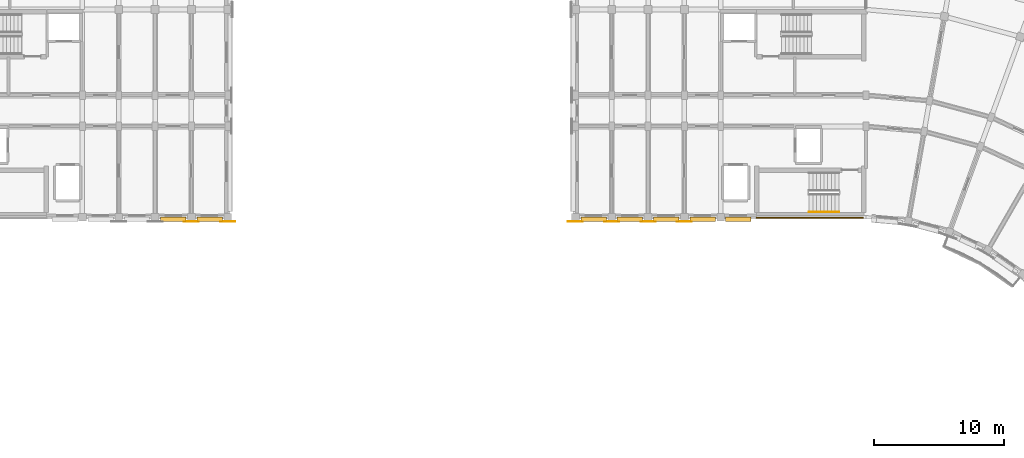
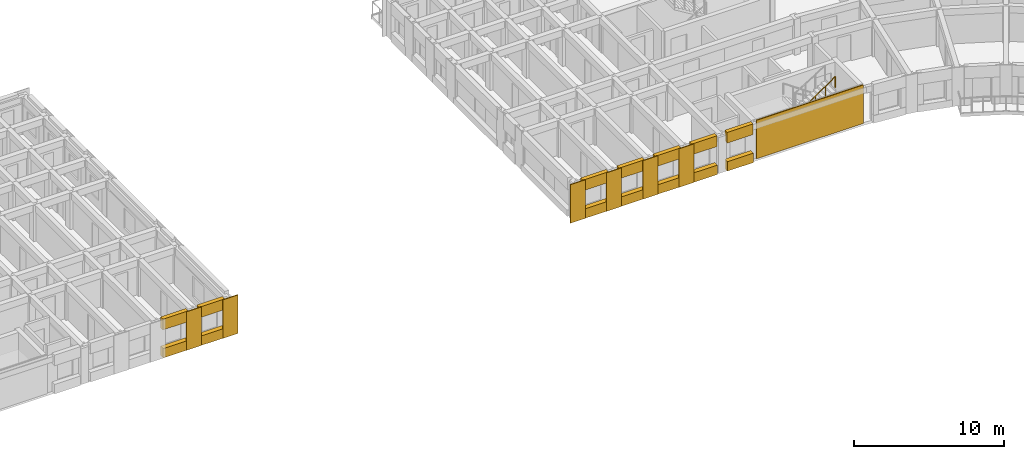
# One storey, part 46 of 53: 21 coverings, 1 railing.
"""IFC4 building model written with IfcOpenShell, lengths in metres."""

from ifc_helpers import new_model, si_unit, direction, frame, origin, origin_2d, place, context, subcontext, project, spatial, polyline, circle, outline, extrude, material, layer, layer_set, type_object, element, save


model = new_model("IFC4")

# Units and contexts
model_context = context("Model", 3, precision=1e-05, world=origin(), true_north=direction((0.0, 1.0)))
body_context = subcontext(model_context, "Body", "Model", "MODEL_VIEW")
ifc_project = project(units=[si_unit("LENGTHUNIT", "METRE"), si_unit("AREAUNIT", "SQUARE_METRE"), si_unit("VOLUMEUNIT", "CUBIC_METRE"), si_unit("PLANEANGLEUNIT", "RADIAN"), si_unit("MASSUNIT", "GRAM", prefix="KILO")], contexts=[model_context])

# Site, building, storey
site_placement = place(None, origin())
site = spatial("IfcSite", under=ifc_project, at=site_placement, CompositionType="ELEMENT")
building_placement = place(site_placement, origin())
building = spatial("IfcBuilding", under=site, at=building_placement, Name="Kiranvali Square Residences", CompositionType="ELEMENT")
storey_placement = place(building_placement, frame((0.0, 0.0, 30.75)))
storey = spatial("IfcBuildingStorey", under=building, at=storey_placement, Name="L09", CompositionType="ELEMENT", Elevation=30.75)

# Coverings
ifc_material_1 = material(Name="Honed Porbandar limestone ashlar facade cladding", Category="masonry")
ifc_layer_1 = layer(ifc_material_1, 0.06494140625)
ifc_layer_set_1 = layer_set([ifc_layer_1], Name="Honed Porbandar limestone ashlar facade cladding")
covering_type_1 = type_object("IfcCoveringType", Name="COV-CLAD-PIER", PredefinedType="CLADDING", material=ifc_layer_set_1)
covering_1_placement = place(storey_placement, frame((0.0, 0.0, 0.0048828125)))
element("IfcCovering", 1, at=covering_1_placement, inside=storey, type_object=covering_type_1, Name="Block B L09 garden stair limestone ashlar cladding", PredefinedType="CLADDING", context=body_context, shape_type="SweptSolid", body=[
    extrude(outline(polyline([(119.60009765625, 106.597900390625), (111.35009765625, 106.597900390625), (111.35009765625, 106.52001953125), (119.60009765625, 106.52001953125), (119.60009765625, 106.597900390625)])), origin(), (0.0, 0.0, 1.0), 3.14013671875),
])
ifc_layer_2 = layer(ifc_material_1, 0.050048828125)
ifc_layer_set_2 = layer_set([ifc_layer_2], Name="Honed Porbandar limestone ashlar facade cladding")
covering_type_2 = type_object("IfcCoveringType", Name="COV-CLAD-PIER-IN", PredefinedType="CLADDING", material=ifc_layer_set_2)
covering_2_placement = place(storey_placement, frame((0.0, 0.0, 0.0048828125)))
element("IfcCovering", 2, at=covering_2_placement, inside=storey, type_object=covering_type_2, Name="L09 Classical limestone pilaster casing CLAD-PRA1I-A-L09-U195", PredefinedType="CLADDING", context=body_context, shape_type="SweptSolid", body=[
    extrude(outline(polyline([(67.219970703125, 106.23193359375), (68.3798828125, 106.23193359375), (68.3798828125, 106.299560546875), (67.219970703125, 106.299560546875), (67.219970703125, 106.23193359375)])), origin(), (0.0, 0.0, 1.0), 3.14013671875),
])
covering_3_placement = place(storey_placement, frame((0.0, 0.0, 0.0048828125)))
element("IfcCovering", 3, at=covering_3_placement, inside=storey, type_object=covering_type_2, Name="L09 Classical limestone pilaster casing CLAD-PRA1I-A-L09-U224", PredefinedType="CLADDING", context=body_context, shape_type="SweptSolid", body=[
    extrude(outline(polyline([(70.02001953125, 106.23193359375), (71.179931640625, 106.23193359375), (71.179931640625, 106.299560546875), (70.02001953125, 106.299560546875), (70.02001953125, 106.23193359375)])), origin(), (0.0, 0.0, 1.0), 3.14013671875),
])
covering_4_placement = place(storey_placement, frame((0.0, 0.0, 0.0048828125)))
element("IfcCovering", 4, at=covering_4_placement, inside=storey, type_object=covering_type_2, Name="L09 Classical limestone pilaster casing CLAD-PRA1I-B-L09-U140", PredefinedType="CLADDING", context=body_context, shape_type="SweptSolid", body=[
    extrude(outline(polyline([(106.3798828125, 106.299560546875), (105.219970703125, 106.299560546875), (105.219970703125, 106.23193359375), (106.3798828125, 106.23193359375), (106.3798828125, 106.299560546875)])), origin(), (0.0, 0.0, 1.0), 3.14013671875),
])
covering_5_placement = place(storey_placement, frame((0.0, 0.0, 0.0048828125)))
element("IfcCovering", 5, at=covering_5_placement, inside=storey, type_object=covering_type_2, Name="L09 Classical limestone pilaster casing CLAD-PRA1I-B-L09-U167", PredefinedType="CLADDING", context=body_context, shape_type="SweptSolid", body=[
    extrude(outline(polyline([(103.580078125, 106.299560546875), (102.419921875, 106.299560546875), (102.419921875, 106.23193359375), (103.580078125, 106.23193359375), (103.580078125, 106.299560546875)])), origin(), (0.0, 0.0, 1.0), 3.14013671875),
])
covering_6_placement = place(storey_placement, frame((0.0, 0.0, 0.0048828125)))
element("IfcCovering", 6, at=covering_6_placement, inside=storey, type_object=covering_type_2, Name="L09 Classical limestone pilaster casing CLAD-PRA1I-B-L09-U195", PredefinedType="CLADDING", context=body_context, shape_type="SweptSolid", body=[
    extrude(outline(polyline([(100.780029296875, 106.299560546875), (99.6201171875, 106.299560546875), (99.6201171875, 106.23193359375), (100.780029296875, 106.23193359375), (100.780029296875, 106.299560546875)])), origin(), (0.0, 0.0, 1.0), 3.14013671875),
])
covering_7_placement = place(storey_placement, frame((0.0, 0.0, 0.0048828125)))
element("IfcCovering", 7, at=covering_7_placement, inside=storey, type_object=covering_type_2, Name="L09 Classical limestone pilaster casing CLAD-PRA1I-B-L09-U224", PredefinedType="CLADDING", context=body_context, shape_type="SweptSolid", body=[
    extrude(outline(polyline([(97.97998046875, 106.299560546875), (96.820068359375, 106.299560546875), (96.820068359375, 106.23193359375), (97.97998046875, 106.23193359375), (97.97998046875, 106.299560546875)])), origin(), (0.0, 0.0, 1.0), 3.14013671875),
])
ifc_layer_3 = layer(ifc_material_1, 0.360107421875)
ifc_layer_set_3 = layer_set([ifc_layer_3], Name="Honed Porbandar limestone ashlar facade cladding")
covering_type_3 = type_object("IfcCoveringType", Name="COV-CLAD-WALL", PredefinedType="CLADDING", material=ifc_layer_set_3)
covering_8_placement = place(storey_placement, frame((0.0, 0.0, 2.27197265625)))
element("IfcCovering", 8, at=covering_8_placement, inside=storey, type_object=covering_type_3, Name="L09 light limestone spandrel lintel A-L09-A1I-2", PredefinedType="CLADDING", context=body_context, shape_type="SweptSolid", body=[
    extrude(outline(polyline([(65.419921875, 106.280029296875), (67.3798828125, 106.280029296875), (67.3798828125, 106.599609375), (65.419921875, 106.599609375), (65.419921875, 106.280029296875)])), origin(), (0.0, 0.0, 1.0), 0.873046875),
])
covering_9_placement = place(storey_placement, frame((0.0, 0.0, 0.0048828125)))
element("IfcCovering", 9, at=covering_9_placement, inside=storey, type_object=covering_type_3, Name="L09 limestone window sill apron A-L09-A1I-2", PredefinedType="CLADDING", context=body_context, shape_type="SweptSolid", body=[
    extrude(outline(polyline([(65.419921875, 106.25), (67.3798828125, 106.25), (67.3798828125, 106.599609375), (65.419921875, 106.599609375), (65.419921875, 106.25)])), origin(), (0.0, 0.0, 1.0), 0.76708984375),
])
covering_10_placement = place(storey_placement, frame((0.0, 0.0, 2.27197265625)))
element("IfcCovering", 10, at=covering_10_placement, inside=storey, type_object=covering_type_3, Name="L09 light limestone spandrel lintel A-L09-A1I-3", PredefinedType="CLADDING", context=body_context, shape_type="SweptSolid", body=[
    extrude(outline(polyline([(68.219970703125, 106.280029296875), (70.179931640625, 106.280029296875), (70.179931640625, 106.599609375), (68.219970703125, 106.599609375), (68.219970703125, 106.280029296875)])), origin(), (0.0, 0.0, 1.0), 0.873046875),
])
covering_11_placement = place(storey_placement, frame((0.0, 0.0, 0.0048828125)))
element("IfcCovering", 11, at=covering_11_placement, inside=storey, type_object=covering_type_3, Name="L09 limestone window sill apron A-L09-A1I-3", PredefinedType="CLADDING", context=body_context, shape_type="SweptSolid", body=[
    extrude(outline(polyline([(68.219970703125, 106.25), (70.179931640625, 106.25), (70.179931640625, 106.599609375), (68.219970703125, 106.599609375), (68.219970703125, 106.25)])), origin(), (0.0, 0.0, 1.0), 0.76708984375),
])
covering_12_placement = place(storey_placement, frame((0.0, 0.0, 2.27197265625)))
element("IfcCovering", 12, at=covering_12_placement, inside=storey, type_object=covering_type_3, Name="L09 light limestone spandrel lintel B-L09-A1IN-0", PredefinedType="CLADDING", context=body_context, shape_type="SweptSolid", body=[
    extrude(outline(polyline([(110.949951171875, 106.599609375), (108.949951171875, 106.599609375), (108.949951171875, 106.280029296875), (110.949951171875, 106.280029296875), (110.949951171875, 106.599609375)])), origin(), (0.0, 0.0, 1.0), 0.873046875),
])
covering_13_placement = place(storey_placement, frame((0.0, 0.0, 0.0048828125)))
element("IfcCovering", 13, at=covering_13_placement, inside=storey, type_object=covering_type_3, Name="L09 limestone window sill apron B-L09-A1IN-0", PredefinedType="CLADDING", context=body_context, shape_type="SweptSolid", body=[
    extrude(outline(polyline([(110.949951171875, 106.599609375), (108.949951171875, 106.599609375), (108.949951171875, 106.25), (110.949951171875, 106.25), (110.949951171875, 106.599609375)])), origin(), (0.0, 0.0, 1.0), 0.76708984375),
])
covering_14_placement = place(storey_placement, frame((0.0, 0.0, 2.27197265625)))
element("IfcCovering", 14, at=covering_14_placement, inside=storey, type_object=covering_type_3, Name="L09 light limestone spandrel lintel B-L09-A1I-0", PredefinedType="CLADDING", context=body_context, shape_type="SweptSolid", body=[
    extrude(outline(polyline([(108.179931640625, 106.599609375), (106.219970703125, 106.599609375), (106.219970703125, 106.280029296875), (108.179931640625, 106.280029296875), (108.179931640625, 106.599609375)])), origin(), (0.0, 0.0, 1.0), 0.873046875),
])
covering_15_placement = place(storey_placement, frame((0.0, 0.0, 0.0048828125)))
element("IfcCovering", 15, at=covering_15_placement, inside=storey, type_object=covering_type_3, Name="L09 limestone window sill apron B-L09-A1I-0", PredefinedType="CLADDING", context=body_context, shape_type="SweptSolid", body=[
    extrude(outline(polyline([(108.179931640625, 106.599609375), (106.219970703125, 106.599609375), (106.219970703125, 106.25), (108.179931640625, 106.25), (108.179931640625, 106.599609375)])), origin(), (0.0, 0.0, 1.0), 0.76708984375),
])
covering_16_placement = place(storey_placement, frame((0.0, 0.0, 2.27197265625)))
element("IfcCovering", 16, at=covering_16_placement, inside=storey, type_object=covering_type_3, Name="L09 light limestone spandrel lintel B-L09-A1I-1", PredefinedType="CLADDING", context=body_context, shape_type="SweptSolid", body=[
    extrude(outline(polyline([(105.3798828125, 106.599609375), (103.419921875, 106.599609375), (103.419921875, 106.280029296875), (105.3798828125, 106.280029296875), (105.3798828125, 106.599609375)])), origin(), (0.0, 0.0, 1.0), 0.873046875),
])
covering_17_placement = place(storey_placement, frame((0.0, 0.0, 0.0048828125)))
element("IfcCovering", 17, at=covering_17_placement, inside=storey, type_object=covering_type_3, Name="L09 limestone window sill apron B-L09-A1I-1", PredefinedType="CLADDING", context=body_context, shape_type="SweptSolid", body=[
    extrude(outline(polyline([(105.3798828125, 106.599609375), (103.419921875, 106.599609375), (103.419921875, 106.25), (105.3798828125, 106.25), (105.3798828125, 106.599609375)])), origin(), (0.0, 0.0, 1.0), 0.76708984375),
])
covering_18_placement = place(storey_placement, frame((0.0, 0.0, 2.27197265625)))
element("IfcCovering", 18, at=covering_18_placement, inside=storey, type_object=covering_type_3, Name="L09 light limestone spandrel lintel B-L09-A1I-2", PredefinedType="CLADDING", context=body_context, shape_type="SweptSolid", body=[
    extrude(outline(polyline([(102.580078125, 106.599609375), (100.6201171875, 106.599609375), (100.6201171875, 106.280029296875), (102.580078125, 106.280029296875), (102.580078125, 106.599609375)])), origin(), (0.0, 0.0, 1.0), 0.873046875),
])
covering_19_placement = place(storey_placement, frame((0.0, 0.0, 0.0048828125)))
element("IfcCovering", 19, at=covering_19_placement, inside=storey, type_object=covering_type_3, Name="L09 limestone window sill apron B-L09-A1I-2", PredefinedType="CLADDING", context=body_context, shape_type="SweptSolid", body=[
    extrude(outline(polyline([(102.580078125, 106.599609375), (100.6201171875, 106.599609375), (100.6201171875, 106.25), (102.580078125, 106.25), (102.580078125, 106.599609375)])), origin(), (0.0, 0.0, 1.0), 0.76708984375),
])
covering_20_placement = place(storey_placement, frame((0.0, 0.0, 2.27197265625)))
element("IfcCovering", 20, at=covering_20_placement, inside=storey, type_object=covering_type_3, Name="L09 light limestone spandrel lintel B-L09-A1I-3", PredefinedType="CLADDING", context=body_context, shape_type="SweptSolid", body=[
    extrude(outline(polyline([(99.780029296875, 106.599609375), (97.820068359375, 106.599609375), (97.820068359375, 106.280029296875), (99.780029296875, 106.280029296875), (99.780029296875, 106.599609375)])), origin(), (0.0, 0.0, 1.0), 0.873046875),
])
covering_21_placement = place(storey_placement, frame((0.0, 0.0, 0.0048828125)))
element("IfcCovering", 21, at=covering_21_placement, inside=storey, type_object=covering_type_3, Name="L09 limestone window sill apron B-L09-A1I-3", PredefinedType="CLADDING", context=body_context, shape_type="SweptSolid", body=[
    extrude(outline(polyline([(99.780029296875, 106.599609375), (97.820068359375, 106.599609375), (97.820068359375, 106.25), (99.780029296875, 106.25), (99.780029296875, 106.599609375)])), origin(), (0.0, 0.0, 1.0), 0.76708984375),
])

# Railing
ifc_material_2 = material(Name="Brushed stainless steel tubular handrail", Category="steel")
railing_type = type_object("IfcRailingType", Name="RL-HANDRAIL-900", PredefinedType="HANDRAIL", material=ifc_material_2)
railing_placement = place(storey_placement, frame((115.419921875, 107.0, 1.75)))
element("IfcRailing", 22, at=railing_placement, inside=storey, type_object=railing_type, Name="L09 ST-B2 stair handrail 2", PredefinedType="HANDRAIL", context=body_context, shape_type="SweptSolid", body=[
    extrude(circle(Radius=0.02392578125, at=origin_2d()), frame((0.0, 0.0, 0.8759765625), z_axis=(0.82278801735, 0.0, 0.568348377763), x_axis=(0.0, 1.0, 0.0)), (0.0, 0.0, 1.0), 2.77099609375),
    extrude(circle(Radius=0.02099609375, at=origin_2d()), origin(), (0.0, 0.0, 1.0), 0.851806640625),
    extrude(circle(Radius=0.02099609375, at=origin_2d()), frame((0.760009765625, 0.0, 0.52490234375)), (0.0, 0.0, 1.0), 0.851806640625),
    extrude(circle(Radius=0.02099609375, at=origin_2d()), frame((1.52001953125, 0.0, 1.050048828125)), (0.0, 0.0, 1.0), 0.851806640625),
    extrude(circle(Radius=0.02099609375, at=origin_2d()), frame((2.280029296875, 0.0, 1.574951171875)), (0.0, 0.0, 1.0), 0.851806640625),
])

save(model, "model.ifc")
